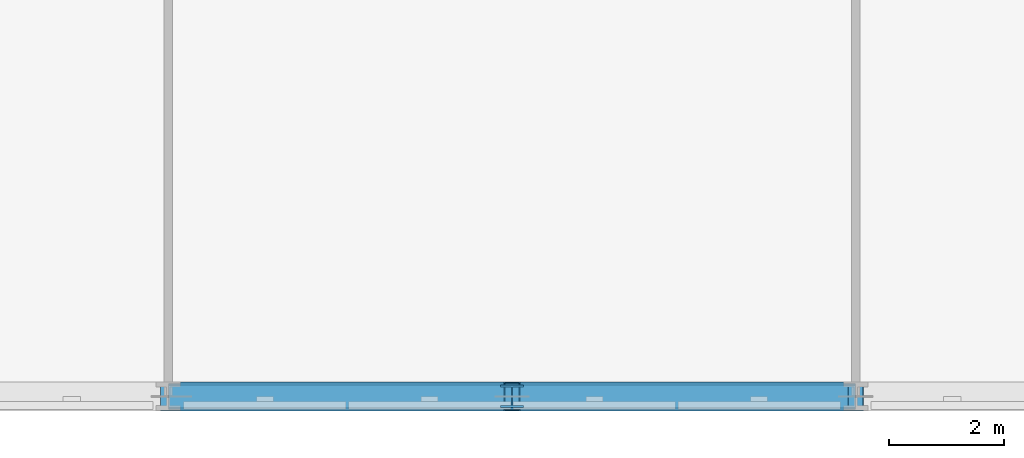
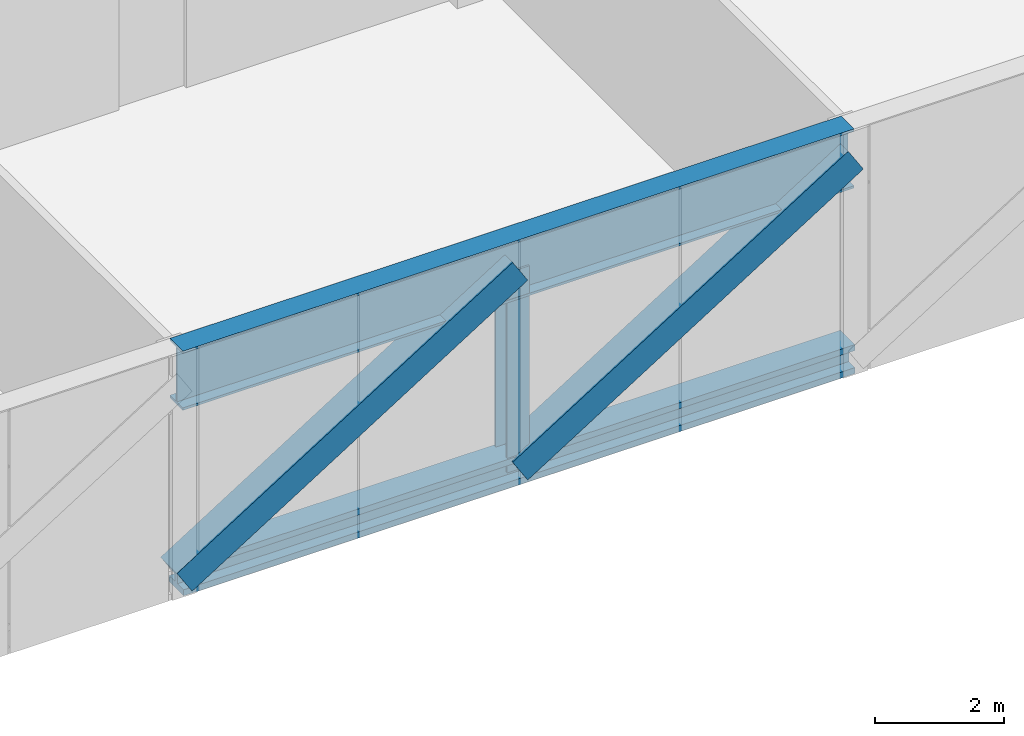
# One storey, part 4 of 25: 5 members.
"""IFC4 building model written with IfcOpenShell, lengths in metres."""

from ifc_helpers import new_model, si_unit, direction, frame, origin, origin_2d, place, context, subcontext, project, spatial, hollow_rectangle, i_section, extrude, material, material_profile, profile_set, type_object, element, save


model = new_model("IFC4")

# Units and contexts
model_context = context("Model", 3, precision=1e-05, world=origin(), true_north=direction((0.0, 1.0)))
body_context = subcontext(model_context, "Body", "Model", "MODEL_VIEW")
ifc_project = project(units=[si_unit("LENGTHUNIT", "METRE"), si_unit("AREAUNIT", "SQUARE_METRE"), si_unit("VOLUMEUNIT", "CUBIC_METRE"), si_unit("PLANEANGLEUNIT", "RADIAN"), si_unit("MASSUNIT", "GRAM", prefix="KILO")], contexts=[model_context])

# Site, building, storey
site_placement = place(None, origin())
site = spatial("IfcSite", under=ifc_project, at=site_placement, CompositionType="ELEMENT")
building_placement = place(site_placement, origin())
building = spatial("IfcBuilding", under=site, at=building_placement, Name="Mahtab Terrace Research Tower", CompositionType="ELEMENT")
storey_placement = place(building_placement, frame((0.0, 0.0, 41.60009765625)))
storey = spatial("IfcBuildingStorey", under=building, at=storey_placement, Name="L09", CompositionType="ELEMENT", Elevation=41.60009765625)

# Members
ifc_material_1 = material(Name="Steel ASTM A500 Gr C", Category="steel")
ifc_material_profile_1 = material_profile(ifc_material_1, hollow_rectangle(XDim=0.508056640625, YDim=0.508056640625, WallThickness=0.01904296875, at=origin_2d()), Name="HSS20X20X3/4")
ifc_profile_set_1 = profile_set([ifc_material_profile_1], Name="Steel ASTM A500 Gr C")
member_type_1 = type_object("IfcMemberType", Name="HSS 20x20x3/4 brace TD202034", PredefinedType="BRACE", material=ifc_profile_set_1)
for number, where, z_axis, x_axis, name in (
    (1, (6.0, -23.0, -0.27587890625), (0.846275965704, 0.0, 0.532744769914), (0.0, 1.0, 0.0), "Transfer truss T1 diagonal 047"),
    (2, (12.0, -23.0, -0.27587890625), (0.846275965704, 0.0, 0.532744769914), (0.0, 1.0, 0.0), "Transfer truss T1 diagonal 049"),
):
    element("IfcMember", number, at=place(storey_placement, frame(where, z_axis=z_axis, x_axis=x_axis)), inside=storey, type_object=member_type_1, Name=name, PredefinedType="BRACE", context=body_context, shape_type="SweptSolid", body=[
        extrude(hollow_rectangle(XDim=0.508056640625, YDim=0.508056640625, WallThickness=0.01904296875, at=origin_2d()), origin(), (0.0, 0.0, 1.0), 7.08984375),
    ])
ifc_material_2 = material(Name="Steel ASTM A992 Gr 50", Category="steel")
ifc_material_profile_2 = material_profile(ifc_material_2, i_section(OverallWidth=0.398681640625, OverallDepth=0.393798828125, WebThickness=0.022705078125, FlangeThickness=0.03662109375, at=origin_2d()), Name="W14X193")
ifc_profile_set_2 = profile_set([ifc_material_profile_2], Name="Steel ASTM A992 Gr 50")
member_type_2 = type_object("IfcMemberType", Name="W14x193 post TP14193", PredefinedType="POST", material=ifc_profile_set_2)
member_1_placement = place(storey_placement, frame((12.0, -23.0, -0.27587890625), z_axis=(0.0, 0.0, 1.0), x_axis=(1.0, 0.0, 0.0)))
element("IfcMember", 3, at=member_1_placement, inside=storey, type_object=member_type_2, Name="Transfer truss T1 post 045", PredefinedType="POST", context=body_context, shape_type="SweptSolid", body=[
    extrude(i_section(OverallWidth=0.398681640625, OverallDepth=0.393798828125, WebThickness=0.022705078125, FlangeThickness=0.03662109375, at=origin_2d()), origin(), (0.0, 0.0, 1.0), 3.777099609375),
])
ifc_material_profile_3 = material_profile(ifc_material_2, i_section(OverallWidth=0.44970703125, OverallDepth=0.548583984375, WebThickness=0.072021484375, FlangeThickness=0.11474609375, at=origin_2d()), Name="W14X665")
ifc_profile_set_3 = profile_set([ifc_material_profile_3], Name="Steel ASTM A992 Gr 50")
member_type_3 = type_object("IfcMemberType", Name="W14x665 chord TC14665", PredefinedType="CHORD", material=ifc_profile_set_3)
member_2_placement = place(storey_placement, frame((6.0, -23.0, -0.27587890625), z_axis=(1.0, 0.0, 0.0), x_axis=(0.0, 1.0, 0.0)))
element("IfcMember", 4, at=member_2_placement, inside=storey, type_object=member_type_3, Name="Transfer truss T1 bottom chord 024", PredefinedType="CHORD", context=body_context, shape_type="SweptSolid", body=[
    extrude(i_section(OverallWidth=0.44970703125, OverallDepth=0.548583984375, WebThickness=0.072021484375, FlangeThickness=0.11474609375, at=origin_2d()), origin(), (0.0, 0.0, 1.0), 12.0),
])
ifc_material_profile_4 = material_profile(ifc_material_2, i_section(OverallWidth=0.40380859375, OverallDepth=1.11767578125, WebThickness=0.026123046875, FlangeThickness=0.044921875, at=origin_2d()), Name="W44X335")
ifc_profile_set_4 = profile_set([ifc_material_profile_4], Name="Steel ASTM A992 Gr 50")
member_type_4 = type_object("IfcMemberType", Name="W44x335 chord TT44335", PredefinedType="CHORD", material=ifc_profile_set_4)
member_3_placement = place(storey_placement, frame((6.0, -23.0, 3.501220703125), z_axis=(1.0, 0.0, 0.0), x_axis=(0.0, 1.0, 0.0)))
element("IfcMember", 5, at=member_3_placement, inside=storey, type_object=member_type_4, Name="Transfer truss T1 top chord 024", PredefinedType="CHORD", context=body_context, shape_type="SweptSolid", body=[
    extrude(i_section(OverallWidth=0.40380859375, OverallDepth=1.11767578125, WebThickness=0.026123046875, FlangeThickness=0.044921875, at=origin_2d()), origin(), (0.0, 0.0, 1.0), 12.0),
])

save(model, "model.ifc")
